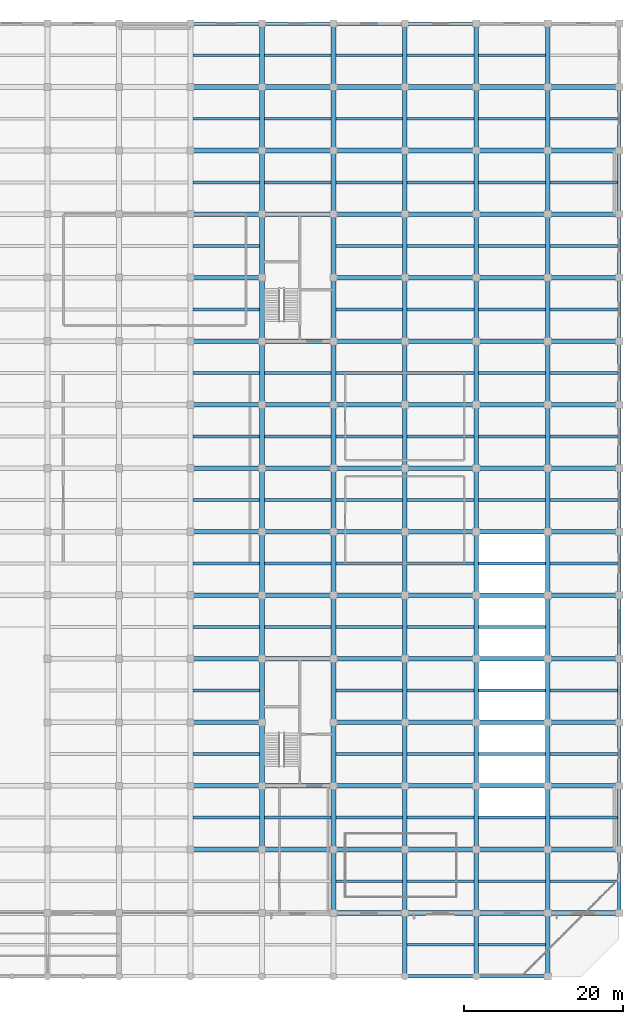
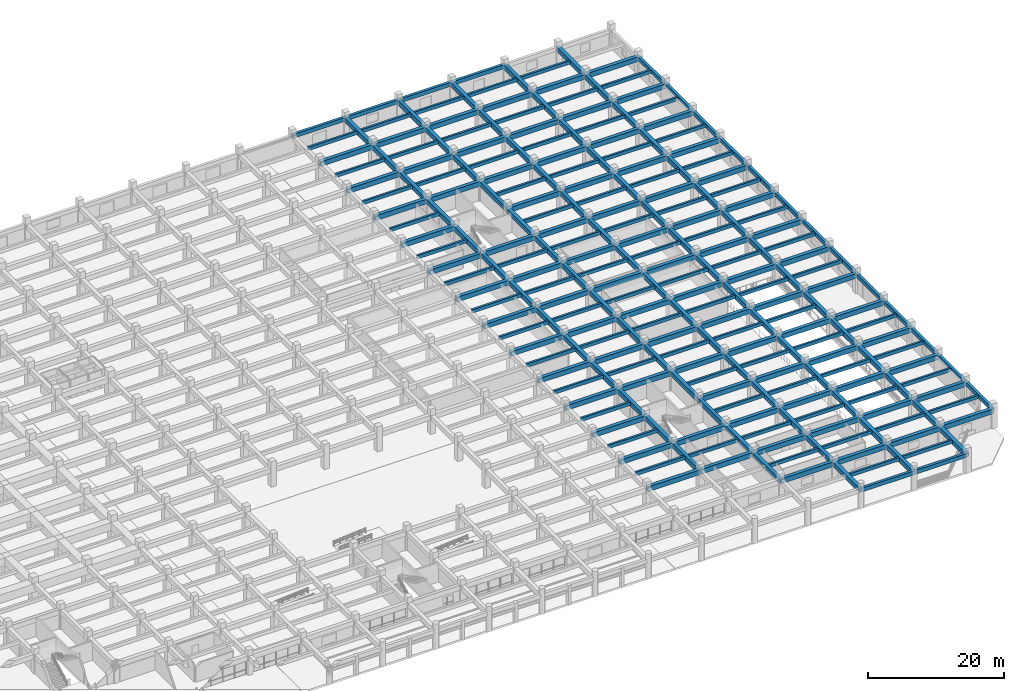
# One storey, part 15 of 40: 249 beams.
"""IFC4 building model written with IfcOpenShell, lengths in metres."""

from ifc_helpers import new_model, si_unit, direction, frame, origin, origin_2d, place, context, subcontext, project, spatial, rectangle, extrude, material, material_profile, profile_set, type_object, element, save


model = new_model("IFC4")

# Units and contexts
model_context = context("Model", 3, precision=1e-05, world=origin(), true_north=direction((0.0, 1.0)))
body_context = subcontext(model_context, "Body", "Model", "MODEL_VIEW")
ifc_project = project(units=[si_unit("LENGTHUNIT", "METRE"), si_unit("AREAUNIT", "SQUARE_METRE"), si_unit("VOLUMEUNIT", "CUBIC_METRE"), si_unit("PLANEANGLEUNIT", "RADIAN"), si_unit("MASSUNIT", "GRAM", prefix="KILO")], contexts=[model_context])

# Site, building, storey
site_placement = place(None, origin())
site = spatial("IfcSite", under=ifc_project, at=site_placement, CompositionType="ELEMENT")
building_placement = place(site_placement, origin())
building = spatial("IfcBuilding", under=site, at=building_placement, Name="Zaverband Oceanarium and Marine Research Institute", CompositionType="ELEMENT")
storey_placement = place(building_placement, origin())
storey = spatial("IfcBuildingStorey", under=building, at=storey_placement, Name="L00", CompositionType="ELEMENT", Elevation=0.0)

# Beams
ifc_material = material(Name="Concrete C40/50", Category="concrete")
ifc_material_profile_1 = material_profile(ifc_material, rectangle(XDim=0.60009765625, YDim=0.85009765625, at=origin_2d()), Name="RC600x850")
ifc_profile_set_1 = profile_set([ifc_material_profile_1], Name="Concrete C40/50")
beam_type_1 = type_object("IfcBeamType", Name="BM-600x850", PredefinedType="BEAM", material=ifc_profile_set_1)
for number, where, z_axis, x_axis, name in (
    (1, (144.0, 8.0, 3.02490234375), (1.0, 0.0, 0.0), (0.0, 1.0, 0.0), "Primary floor girder BM-600x850"),
    (2, (153.0, 8.0, 3.02490234375), (1.0, 0.0, 0.0), (0.0, 1.0, 0.0), "Primary floor girder BM-600x850"),
    (3, (162.0, 8.0, 3.02490234375), (1.0, 0.0, 0.0), (0.0, 1.0, 0.0), "Primary floor girder BM-600x850"),
    (4, (171.0, 8.0, 3.02490234375), (1.0, 0.0, 0.0), (0.0, 1.0, 0.0), "Primary floor girder BM-600x850"),
    (5, (126.0, 16.0, 3.02490234375), (1.0, 0.0, 0.0), (0.0, 1.0, 0.0), "Primary floor girder BM-600x850"),
    (6, (135.0, 16.0, 3.02490234375), (1.0, 0.0, 0.0), (0.0, 1.0, 0.0), "Primary floor girder BM-600x850"),
    (7, (144.0, 16.0, 3.02490234375), (1.0, 0.0, 0.0), (0.0, 1.0, 0.0), "Primary floor girder BM-600x850"),
    (8, (153.0, 16.0, 3.02490234375), (1.0, 0.0, 0.0), (0.0, 1.0, 0.0), "Primary floor girder BM-600x850"),
    (9, (162.0, 16.0, 3.02490234375), (1.0, 0.0, 0.0), (0.0, 1.0, 0.0), "Primary floor girder BM-600x850"),
    (10, (171.0, 16.0, 3.02490234375), (1.0, 0.0, 0.0), (0.0, 1.0, 0.0), "Primary floor girder BM-600x850"),
    (11, (126.0, 24.0, 3.02490234375), (1.0, 0.0, 0.0), (0.0, 1.0, 0.0), "Primary floor girder BM-600x850"),
    (12, (135.0, 24.0, 3.02490234375), (1.0, 0.0, 0.0), (0.0, 1.0, 0.0), "Primary floor girder BM-600x850"),
    (13, (144.0, 24.0, 3.02490234375), (1.0, 0.0, 0.0), (0.0, 1.0, 0.0), "Primary floor girder BM-600x850"),
    (14, (153.0, 24.0, 3.02490234375), (1.0, 0.0, 0.0), (0.0, 1.0, 0.0), "Primary floor girder BM-600x850"),
    (15, (162.0, 24.0, 3.02490234375), (1.0, 0.0, 0.0), (0.0, 1.0, 0.0), "Primary floor girder BM-600x850"),
    (16, (171.0, 24.0, 3.02490234375), (1.0, 0.0, 0.0), (0.0, 1.0, 0.0), "Primary floor girder BM-600x850"),
    (17, (126.0, 32.0, 3.02490234375), (1.0, 0.0, 0.0), (0.0, 1.0, 0.0), "Primary floor girder BM-600x850"),
    (18, (144.0, 32.0, 3.02490234375), (1.0, 0.0, 0.0), (0.0, 1.0, 0.0), "Primary floor girder BM-600x850"),
    (19, (153.0, 32.0, 3.02490234375), (1.0, 0.0, 0.0), (0.0, 1.0, 0.0), "Primary floor girder BM-600x850"),
    (20, (162.0, 32.0, 3.02490234375), (1.0, 0.0, 0.0), (0.0, 1.0, 0.0), "Primary floor girder BM-600x850"),
    (21, (171.0, 32.0, 3.02490234375), (1.0, 0.0, 0.0), (0.0, 1.0, 0.0), "Primary floor girder BM-600x850"),
    (22, (126.0, 40.0, 3.02490234375), (1.0, 0.0, 0.0), (0.0, 1.0, 0.0), "Primary floor girder BM-600x850"),
    (23, (135.0, 40.0, 3.02490234375), (1.0, 0.0, 0.0), (0.0, 1.0, 0.0), "Primary floor girder BM-600x850"),
    (24, (144.0, 40.0, 3.02490234375), (1.0, 0.0, 0.0), (0.0, 1.0, 0.0), "Primary floor girder BM-600x850"),
    (25, (153.0, 40.0, 3.02490234375), (1.0, 0.0, 0.0), (0.0, 1.0, 0.0), "Primary floor girder BM-600x850"),
    (26, (162.0, 40.0, 3.02490234375), (1.0, 0.0, 0.0), (0.0, 1.0, 0.0), "Primary floor girder BM-600x850"),
    (27, (171.0, 40.0, 3.02490234375), (1.0, 0.0, 0.0), (0.0, 1.0, 0.0), "Primary floor girder BM-600x850"),
    (28, (126.0, 48.0, 3.02490234375), (1.0, 0.0, 0.0), (0.0, 1.0, 0.0), "Primary floor girder BM-600x850"),
    (29, (135.0, 48.0, 3.02490234375), (1.0, 0.0, 0.0), (0.0, 1.0, 0.0), "Primary floor girder BM-600x850"),
    (30, (144.0, 48.0, 3.02490234375), (1.0, 0.0, 0.0), (0.0, 1.0, 0.0), "Primary floor girder BM-600x850"),
    (31, (153.0, 48.0, 3.02490234375), (1.0, 0.0, 0.0), (0.0, 1.0, 0.0), "Primary floor girder BM-600x850"),
    (32, (162.0, 48.0, 3.02490234375), (1.0, 0.0, 0.0), (0.0, 1.0, 0.0), "Primary floor girder BM-600x850"),
    (33, (171.0, 48.0, 3.02490234375), (1.0, 0.0, 0.0), (0.0, 1.0, 0.0), "Primary floor girder BM-600x850"),
    (34, (126.0, 56.0, 3.02490234375), (1.0, 0.0, 0.0), (0.0, 1.0, 0.0), "Primary floor girder BM-600x850"),
    (35, (135.0, 56.0, 3.02490234375), (1.0, 0.0, 0.0), (0.0, 1.0, 0.0), "Primary floor girder BM-600x850"),
    (36, (144.0, 56.0, 3.02490234375), (1.0, 0.0, 0.0), (0.0, 1.0, 0.0), "Primary floor girder BM-600x850"),
    (37, (153.0, 56.0, 3.02490234375), (1.0, 0.0, 0.0), (0.0, 1.0, 0.0), "Primary floor girder BM-600x850"),
    (38, (162.0, 56.0, 3.02490234375), (1.0, 0.0, 0.0), (0.0, 1.0, 0.0), "Primary floor girder BM-600x850"),
    (39, (171.0, 56.0, 3.02490234375), (1.0, 0.0, 0.0), (0.0, 1.0, 0.0), "Primary floor girder BM-600x850"),
    (40, (126.0, 64.0, 3.02490234375), (1.0, 0.0, 0.0), (0.0, 1.0, 0.0), "Primary floor girder BM-600x850"),
    (41, (135.0, 64.0, 3.02490234375), (1.0, 0.0, 0.0), (0.0, 1.0, 0.0), "Primary floor girder BM-600x850"),
    (42, (144.0, 64.0, 3.02490234375), (1.0, 0.0, 0.0), (0.0, 1.0, 0.0), "Primary floor girder BM-600x850"),
    (43, (153.0, 64.0, 3.02490234375), (1.0, 0.0, 0.0), (0.0, 1.0, 0.0), "Primary floor girder BM-600x850"),
    (44, (162.0, 64.0, 3.02490234375), (1.0, 0.0, 0.0), (0.0, 1.0, 0.0), "Primary floor girder BM-600x850"),
    (45, (171.0, 64.0, 3.02490234375), (1.0, 0.0, 0.0), (0.0, 1.0, 0.0), "Primary floor girder BM-600x850"),
    (46, (126.0, 72.0, 3.02490234375), (1.0, 0.0, 0.0), (0.0, 1.0, 0.0), "Primary floor girder BM-600x850"),
    (47, (135.0, 72.0, 3.02490234375), (1.0, 0.0, 0.0), (0.0, 1.0, 0.0), "Primary floor girder BM-600x850"),
    (48, (144.0, 72.0, 3.02490234375), (1.0, 0.0, 0.0), (0.0, 1.0, 0.0), "Primary floor girder BM-600x850"),
    (49, (153.0, 72.0, 3.02490234375), (1.0, 0.0, 0.0), (0.0, 1.0, 0.0), "Primary floor girder BM-600x850"),
    (50, (162.0, 72.0, 3.02490234375), (1.0, 0.0, 0.0), (0.0, 1.0, 0.0), "Primary floor girder BM-600x850"),
    (51, (171.0, 72.0, 3.02490234375), (1.0, 0.0, 0.0), (0.0, 1.0, 0.0), "Primary floor girder BM-600x850"),
    (52, (126.0, 80.0, 3.02490234375), (1.0, 0.0, 0.0), (0.0, 1.0, 0.0), "Primary floor girder BM-600x850"),
    (53, (135.0, 80.0, 3.02490234375), (1.0, 0.0, 0.0), (0.0, 1.0, 0.0), "Primary floor girder BM-600x850"),
    (54, (144.0, 80.0, 3.02490234375), (1.0, 0.0, 0.0), (0.0, 1.0, 0.0), "Primary floor girder BM-600x850"),
    (55, (153.0, 80.0, 3.02490234375), (1.0, 0.0, 0.0), (0.0, 1.0, 0.0), "Primary floor girder BM-600x850"),
    (56, (162.0, 80.0, 3.02490234375), (1.0, 0.0, 0.0), (0.0, 1.0, 0.0), "Primary floor girder BM-600x850"),
    (57, (171.0, 80.0, 3.02490234375), (1.0, 0.0, 0.0), (0.0, 1.0, 0.0), "Primary floor girder BM-600x850"),
    (58, (126.0, 88.0, 3.02490234375), (1.0, 0.0, 0.0), (0.0, 1.0, 0.0), "Primary floor girder BM-600x850"),
    (59, (144.0, 88.0, 3.02490234375), (1.0, 0.0, 0.0), (0.0, 1.0, 0.0), "Primary floor girder BM-600x850"),
    (60, (153.0, 88.0, 3.02490234375), (1.0, 0.0, 0.0), (0.0, 1.0, 0.0), "Primary floor girder BM-600x850"),
    (61, (162.0, 88.0, 3.02490234375), (1.0, 0.0, 0.0), (0.0, 1.0, 0.0), "Primary floor girder BM-600x850"),
    (62, (171.0, 88.0, 3.02490234375), (1.0, 0.0, 0.0), (0.0, 1.0, 0.0), "Primary floor girder BM-600x850"),
    (63, (126.0, 96.0, 3.02490234375), (1.0, 0.0, 0.0), (0.0, 1.0, 0.0), "Primary floor girder BM-600x850"),
    (64, (135.0, 96.0, 3.02490234375), (1.0, 0.0, 0.0), (0.0, 1.0, 0.0), "Primary floor girder BM-600x850"),
    (65, (144.0, 96.0, 3.02490234375), (1.0, 0.0, 0.0), (0.0, 1.0, 0.0), "Primary floor girder BM-600x850"),
    (66, (153.0, 96.0, 3.02490234375), (1.0, 0.0, 0.0), (0.0, 1.0, 0.0), "Primary floor girder BM-600x850"),
    (67, (162.0, 96.0, 3.02490234375), (1.0, 0.0, 0.0), (0.0, 1.0, 0.0), "Primary floor girder BM-600x850"),
    (68, (171.0, 96.0, 3.02490234375), (1.0, 0.0, 0.0), (0.0, 1.0, 0.0), "Primary floor girder BM-600x850"),
    (69, (126.0, 104.0, 3.02490234375), (1.0, 0.0, 0.0), (0.0, 1.0, 0.0), "Primary floor girder BM-600x850"),
    (70, (135.0, 104.0, 3.02490234375), (1.0, 0.0, 0.0), (0.0, 1.0, 0.0), "Primary floor girder BM-600x850"),
    (71, (144.0, 104.0, 3.02490234375), (1.0, 0.0, 0.0), (0.0, 1.0, 0.0), "Primary floor girder BM-600x850"),
    (72, (153.0, 104.0, 3.02490234375), (1.0, 0.0, 0.0), (0.0, 1.0, 0.0), "Primary floor girder BM-600x850"),
    (73, (162.0, 104.0, 3.02490234375), (1.0, 0.0, 0.0), (0.0, 1.0, 0.0), "Primary floor girder BM-600x850"),
    (74, (171.0, 104.0, 3.02490234375), (1.0, 0.0, 0.0), (0.0, 1.0, 0.0), "Primary floor girder BM-600x850"),
    (75, (126.0, 112.0, 3.02490234375), (1.0, 0.0, 0.0), (0.0, 1.0, 0.0), "Primary floor girder BM-600x850"),
    (76, (135.0, 112.0, 3.02490234375), (1.0, 0.0, 0.0), (0.0, 1.0, 0.0), "Primary floor girder BM-600x850"),
    (77, (144.0, 112.0, 3.02490234375), (1.0, 0.0, 0.0), (0.0, 1.0, 0.0), "Primary floor girder BM-600x850"),
    (78, (153.0, 112.0, 3.02490234375), (1.0, 0.0, 0.0), (0.0, 1.0, 0.0), "Primary floor girder BM-600x850"),
    (79, (162.0, 112.0, 3.02490234375), (1.0, 0.0, 0.0), (0.0, 1.0, 0.0), "Primary floor girder BM-600x850"),
    (80, (171.0, 112.0, 3.02490234375), (1.0, 0.0, 0.0), (0.0, 1.0, 0.0), "Primary floor girder BM-600x850"),
):
    element("IfcBeam", number, at=place(storey_placement, frame(where, z_axis=z_axis, x_axis=x_axis)), inside=storey, type_object=beam_type_1, Name=name, PredefinedType="BEAM", context=body_context, shape_type="SweptSolid", body=[
        extrude(rectangle(XDim=0.60009765625, YDim=0.85009765625, at=origin_2d()), origin(), (0.0, 0.0, 1.0), 9.0),
    ])
for number, where, z_axis, x_axis, name in (
    (81, (135.0, 16.0, 3.02490234375), (0.0, 1.0, 0.0), (-1.0, 0.0, 0.0), "Primary floor girder BM-600x850"),
    (82, (135.0, 24.0, 3.02490234375), (0.0, 1.0, 0.0), (-1.0, 0.0, 0.0), "Primary floor girder BM-600x850"),
    (83, (135.0, 32.0, 3.02490234375), (0.0, 1.0, 0.0), (-1.0, 0.0, 0.0), "Primary floor girder BM-600x850"),
    (84, (135.0, 40.0, 3.02490234375), (0.0, 1.0, 0.0), (-1.0, 0.0, 0.0), "Primary floor girder BM-600x850"),
    (85, (135.0, 48.0, 3.02490234375), (0.0, 1.0, 0.0), (-1.0, 0.0, 0.0), "Primary floor girder BM-600x850"),
    (86, (135.0, 56.0, 3.02490234375), (0.0, 1.0, 0.0), (-1.0, 0.0, 0.0), "Primary floor girder BM-600x850"),
    (87, (135.0, 64.0, 3.02490234375), (0.0, 1.0, 0.0), (-1.0, 0.0, 0.0), "Primary floor girder BM-600x850"),
    (88, (135.0, 72.0, 3.02490234375), (0.0, 1.0, 0.0), (-1.0, 0.0, 0.0), "Primary floor girder BM-600x850"),
    (89, (135.0, 80.0, 3.02490234375), (0.0, 1.0, 0.0), (-1.0, 0.0, 0.0), "Primary floor girder BM-600x850"),
    (90, (135.0, 88.0, 3.02490234375), (0.0, 1.0, 0.0), (-1.0, 0.0, 0.0), "Primary floor girder BM-600x850"),
    (91, (135.0, 96.0, 3.02490234375), (0.0, 1.0, 0.0), (-1.0, 0.0, 0.0), "Primary floor girder BM-600x850"),
    (92, (135.0, 104.0, 3.02490234375), (0.0, 1.0, 0.0), (-1.0, 0.0, 0.0), "Primary floor girder BM-600x850"),
    (93, (135.0, 112.0, 3.02490234375), (0.0, 1.0, 0.0), (-1.0, 0.0, 0.0), "Primary floor girder BM-600x850"),
    (94, (144.0, 8.0, 3.02490234375), (0.0, 1.0, 0.0), (-1.0, 0.0, 0.0), "Primary floor girder BM-600x850"),
    (95, (144.0, 16.0, 3.02490234375), (0.0, 1.0, 0.0), (-1.0, 0.0, 0.0), "Primary floor girder BM-600x850"),
    (96, (144.0, 24.0, 3.02490234375), (0.0, 1.0, 0.0), (-1.0, 0.0, 0.0), "Primary floor girder BM-600x850"),
    (97, (144.0, 32.0, 3.02490234375), (0.0, 1.0, 0.0), (-1.0, 0.0, 0.0), "Primary floor girder BM-600x850"),
    (98, (144.0, 40.0, 3.02490234375), (0.0, 1.0, 0.0), (-1.0, 0.0, 0.0), "Primary floor girder BM-600x850"),
    (99, (144.0, 48.0, 3.02490234375), (0.0, 1.0, 0.0), (-1.0, 0.0, 0.0), "Primary floor girder BM-600x850"),
    (100, (144.0, 56.0, 3.02490234375), (0.0, 1.0, 0.0), (-1.0, 0.0, 0.0), "Primary floor girder BM-600x850"),
    (101, (144.0, 64.0, 3.02490234375), (0.0, 1.0, 0.0), (-1.0, 0.0, 0.0), "Primary floor girder BM-600x850"),
    (102, (144.0, 72.0, 3.02490234375), (0.0, 1.0, 0.0), (-1.0, 0.0, 0.0), "Primary floor girder BM-600x850"),
    (103, (144.0, 80.0, 3.02490234375), (0.0, 1.0, 0.0), (-1.0, 0.0, 0.0), "Primary floor girder BM-600x850"),
    (104, (144.0, 88.0, 3.02490234375), (0.0, 1.0, 0.0), (-1.0, 0.0, 0.0), "Primary floor girder BM-600x850"),
    (105, (144.0, 96.0, 3.02490234375), (0.0, 1.0, 0.0), (-1.0, 0.0, 0.0), "Primary floor girder BM-600x850"),
    (106, (144.0, 104.0, 3.02490234375), (0.0, 1.0, 0.0), (-1.0, 0.0, 0.0), "Primary floor girder BM-600x850"),
    (107, (144.0, 112.0, 3.02490234375), (0.0, 1.0, 0.0), (-1.0, 0.0, 0.0), "Primary floor girder BM-600x850"),
    (108, (153.0, 0.0, 3.02490234375), (0.0, 1.0, 0.0), (-1.0, 0.0, 0.0), "Primary floor girder BM-600x850"),
    (109, (153.0, 8.0, 3.02490234375), (0.0, 1.0, 0.0), (-1.0, 0.0, 0.0), "Primary floor girder BM-600x850"),
    (110, (153.0, 16.0, 3.02490234375), (0.0, 1.0, 0.0), (-1.0, 0.0, 0.0), "Primary floor girder BM-600x850"),
    (111, (153.0, 24.0, 3.02490234375), (0.0, 1.0, 0.0), (-1.0, 0.0, 0.0), "Primary floor girder BM-600x850"),
    (112, (153.0, 32.0, 3.02490234375), (0.0, 1.0, 0.0), (-1.0, 0.0, 0.0), "Primary floor girder BM-600x850"),
    (113, (153.0, 40.0, 3.02490234375), (0.0, 1.0, 0.0), (-1.0, 0.0, 0.0), "Primary floor girder BM-600x850"),
    (114, (153.0, 48.0, 3.02490234375), (0.0, 1.0, 0.0), (-1.0, 0.0, 0.0), "Primary floor girder BM-600x850"),
    (115, (153.0, 56.0, 3.02490234375), (0.0, 1.0, 0.0), (-1.0, 0.0, 0.0), "Primary floor girder BM-600x850"),
    (116, (153.0, 64.0, 3.02490234375), (0.0, 1.0, 0.0), (-1.0, 0.0, 0.0), "Primary floor girder BM-600x850"),
    (117, (153.0, 72.0, 3.02490234375), (0.0, 1.0, 0.0), (-1.0, 0.0, 0.0), "Primary floor girder BM-600x850"),
    (118, (153.0, 80.0, 3.02490234375), (0.0, 1.0, 0.0), (-1.0, 0.0, 0.0), "Primary floor girder BM-600x850"),
    (119, (153.0, 88.0, 3.02490234375), (0.0, 1.0, 0.0), (-1.0, 0.0, 0.0), "Primary floor girder BM-600x850"),
    (120, (153.0, 96.0, 3.02490234375), (0.0, 1.0, 0.0), (-1.0, 0.0, 0.0), "Primary floor girder BM-600x850"),
    (121, (153.0, 104.0, 3.02490234375), (0.0, 1.0, 0.0), (-1.0, 0.0, 0.0), "Primary floor girder BM-600x850"),
    (122, (153.0, 112.0, 3.02490234375), (0.0, 1.0, 0.0), (-1.0, 0.0, 0.0), "Primary floor girder BM-600x850"),
    (123, (162.0, 0.0, 3.02490234375), (0.0, 1.0, 0.0), (-1.0, 0.0, 0.0), "Primary floor girder BM-600x850"),
    (124, (162.0, 8.0, 3.02490234375), (0.0, 1.0, 0.0), (-1.0, 0.0, 0.0), "Primary floor girder BM-600x850"),
    (125, (162.0, 16.0, 3.02490234375), (0.0, 1.0, 0.0), (-1.0, 0.0, 0.0), "Primary floor girder BM-600x850"),
    (126, (162.0, 24.0, 3.02490234375), (0.0, 1.0, 0.0), (-1.0, 0.0, 0.0), "Primary floor girder BM-600x850"),
    (127, (162.0, 32.0, 3.02490234375), (0.0, 1.0, 0.0), (-1.0, 0.0, 0.0), "Primary floor girder BM-600x850"),
    (128, (162.0, 40.0, 3.02490234375), (0.0, 1.0, 0.0), (-1.0, 0.0, 0.0), "Primary floor girder BM-600x850"),
    (129, (162.0, 48.0, 3.02490234375), (0.0, 1.0, 0.0), (-1.0, 0.0, 0.0), "Primary floor girder BM-600x850"),
    (130, (162.0, 56.0, 3.02490234375), (0.0, 1.0, 0.0), (-1.0, 0.0, 0.0), "Primary floor girder BM-600x850"),
    (131, (162.0, 64.0, 3.02490234375), (0.0, 1.0, 0.0), (-1.0, 0.0, 0.0), "Primary floor girder BM-600x850"),
    (132, (162.0, 72.0, 3.02490234375), (0.0, 1.0, 0.0), (-1.0, 0.0, 0.0), "Primary floor girder BM-600x850"),
    (133, (162.0, 80.0, 3.02490234375), (0.0, 1.0, 0.0), (-1.0, 0.0, 0.0), "Primary floor girder BM-600x850"),
    (134, (162.0, 88.0, 3.02490234375), (0.0, 1.0, 0.0), (-1.0, 0.0, 0.0), "Primary floor girder BM-600x850"),
    (135, (162.0, 96.0, 3.02490234375), (0.0, 1.0, 0.0), (-1.0, 0.0, 0.0), "Primary floor girder BM-600x850"),
    (136, (162.0, 104.0, 3.02490234375), (0.0, 1.0, 0.0), (-1.0, 0.0, 0.0), "Primary floor girder BM-600x850"),
    (137, (162.0, 112.0, 3.02490234375), (0.0, 1.0, 0.0), (-1.0, 0.0, 0.0), "Primary floor girder BM-600x850"),
    (138, (171.0, 0.0, 3.02490234375), (0.0, 1.0, 0.0), (-1.0, 0.0, 0.0), "Primary floor girder BM-600x850"),
    (139, (171.0, 8.0, 3.02490234375), (0.0, 1.0, 0.0), (-1.0, 0.0, 0.0), "Primary floor girder BM-600x850"),
    (140, (171.0, 16.0, 3.02490234375), (0.0, 1.0, 0.0), (-1.0, 0.0, 0.0), "Primary floor girder BM-600x850"),
    (141, (171.0, 24.0, 3.02490234375), (0.0, 1.0, 0.0), (-1.0, 0.0, 0.0), "Primary floor girder BM-600x850"),
    (142, (171.0, 32.0, 3.02490234375), (0.0, 1.0, 0.0), (-1.0, 0.0, 0.0), "Primary floor girder BM-600x850"),
    (143, (171.0, 40.0, 3.02490234375), (0.0, 1.0, 0.0), (-1.0, 0.0, 0.0), "Primary floor girder BM-600x850"),
    (144, (171.0, 48.0, 3.02490234375), (0.0, 1.0, 0.0), (-1.0, 0.0, 0.0), "Primary floor girder BM-600x850"),
    (145, (171.0, 56.0, 3.02490234375), (0.0, 1.0, 0.0), (-1.0, 0.0, 0.0), "Primary floor girder BM-600x850"),
    (146, (171.0, 64.0, 3.02490234375), (0.0, 1.0, 0.0), (-1.0, 0.0, 0.0), "Primary floor girder BM-600x850"),
    (147, (171.0, 72.0, 3.02490234375), (0.0, 1.0, 0.0), (-1.0, 0.0, 0.0), "Primary floor girder BM-600x850"),
    (148, (171.0, 80.0, 3.02490234375), (0.0, 1.0, 0.0), (-1.0, 0.0, 0.0), "Primary floor girder BM-600x850"),
    (149, (171.0, 88.0, 3.02490234375), (0.0, 1.0, 0.0), (-1.0, 0.0, 0.0), "Primary floor girder BM-600x850"),
    (150, (171.0, 96.0, 3.02490234375), (0.0, 1.0, 0.0), (-1.0, 0.0, 0.0), "Primary floor girder BM-600x850"),
    (151, (171.0, 104.0, 3.02490234375), (0.0, 1.0, 0.0), (-1.0, 0.0, 0.0), "Primary floor girder BM-600x850"),
    (152, (171.0, 112.0, 3.02490234375), (0.0, 1.0, 0.0), (-1.0, 0.0, 0.0), "Primary floor girder BM-600x850"),
):
    element("IfcBeam", number, at=place(storey_placement, frame(where, z_axis=z_axis, x_axis=x_axis)), inside=storey, type_object=beam_type_1, Name=name, PredefinedType="BEAM", context=body_context, shape_type="SweptSolid", body=[
        extrude(rectangle(XDim=0.60009765625, YDim=0.85009765625, at=origin_2d()), origin(), (0.0, 0.0, 1.0), 8.0),
    ])
ifc_material_profile_2 = material_profile(ifc_material, rectangle(XDim=0.35009765625, YDim=0.60009765625, at=origin_2d()), Name="RC350x600")
ifc_profile_set_2 = profile_set([ifc_material_profile_2], Name="Concrete C40/50")
beam_type_2 = type_object("IfcBeamType", Name="JST-350x600", PredefinedType="JOIST", material=ifc_profile_set_2)
for number, where, z_axis, x_axis, name in (
    (153, (126.300048828125, 20.0, 3.14990234375), (1.0, 0.0, 0.0), (0.0, 1.0, 0.0), "Secondary floor joist JST-350x600"),
    (154, (126.300048828125, 28.0, 3.14990234375), (1.0, 0.0, 0.0), (0.0, 1.0, 0.0), "Secondary floor joist JST-350x600"),
    (155, (126.300048828125, 36.0, 3.14990234375), (1.0, 0.0, 0.0), (0.0, 1.0, 0.0), "Secondary floor joist JST-350x600"),
    (156, (126.300048828125, 44.0, 3.14990234375), (1.0, 0.0, 0.0), (0.0, 1.0, 0.0), "Secondary floor joist JST-350x600"),
    (157, (126.300048828125, 52.0, 3.14990234375), (1.0, 0.0, 0.0), (0.0, 1.0, 0.0), "Secondary floor joist JST-350x600"),
    (158, (126.300048828125, 60.0, 3.14990234375), (1.0, 0.0, 0.0), (0.0, 1.0, 0.0), "Secondary floor joist JST-350x600"),
    (159, (126.300048828125, 68.0, 3.14990234375), (1.0, 0.0, 0.0), (0.0, 1.0, 0.0), "Secondary floor joist JST-350x600"),
    (160, (126.300048828125, 76.0, 3.14990234375), (1.0, 0.0, 0.0), (0.0, 1.0, 0.0), "Secondary floor joist JST-350x600"),
    (161, (126.300048828125, 84.0, 3.14990234375), (1.0, 0.0, 0.0), (0.0, 1.0, 0.0), "Secondary floor joist JST-350x600"),
    (162, (126.300048828125, 92.0, 3.14990234375), (1.0, 0.0, 0.0), (0.0, 1.0, 0.0), "Secondary floor joist JST-350x600"),
    (163, (126.300048828125, 100.0, 3.14990234375), (1.0, 0.0, 0.0), (0.0, 1.0, 0.0), "Secondary floor joist JST-350x600"),
    (164, (126.300048828125, 108.0, 3.14990234375), (1.0, 0.0, 0.0), (0.0, 1.0, 0.0), "Secondary floor joist JST-350x600"),
    (165, (126.300048828125, 116.0, 3.14990234375), (1.0, 0.0, 0.0), (0.0, 1.0, 0.0), "Secondary floor joist JST-350x600"),
    (166, (135.300048828125, 20.0, 3.14990234375), (1.0, 0.0, 0.0), (0.0, 1.0, 0.0), "Secondary floor joist JST-350x600"),
    (167, (135.300048828125, 44.0, 3.14990234375), (1.0, 0.0, 0.0), (0.0, 1.0, 0.0), "Secondary floor joist JST-350x600"),
    (168, (135.300048828125, 52.0, 3.14990234375), (1.0, 0.0, 0.0), (0.0, 1.0, 0.0), "Secondary floor joist JST-350x600"),
    (169, (135.300048828125, 60.0, 3.14990234375), (1.0, 0.0, 0.0), (0.0, 1.0, 0.0), "Secondary floor joist JST-350x600"),
    (170, (135.300048828125, 68.0, 3.14990234375), (1.0, 0.0, 0.0), (0.0, 1.0, 0.0), "Secondary floor joist JST-350x600"),
    (171, (135.300048828125, 76.0, 3.14990234375), (1.0, 0.0, 0.0), (0.0, 1.0, 0.0), "Secondary floor joist JST-350x600"),
    (172, (135.300048828125, 100.0, 3.14990234375), (1.0, 0.0, 0.0), (0.0, 1.0, 0.0), "Secondary floor joist JST-350x600"),
    (173, (135.300048828125, 108.0, 3.14990234375), (1.0, 0.0, 0.0), (0.0, 1.0, 0.0), "Secondary floor joist JST-350x600"),
    (174, (135.300048828125, 116.0, 3.14990234375), (1.0, 0.0, 0.0), (0.0, 1.0, 0.0), "Secondary floor joist JST-350x600"),
    (175, (144.300048828125, 12.0, 3.14990234375), (1.0, 0.0, 0.0), (0.0, 1.0, 0.0), "Secondary floor joist JST-350x600"),
    (176, (144.300048828125, 20.0, 3.14990234375), (1.0, 0.0, 0.0), (0.0, 1.0, 0.0), "Secondary floor joist JST-350x600"),
    (177, (144.300048828125, 28.0, 3.14990234375), (1.0, 0.0, 0.0), (0.0, 1.0, 0.0), "Secondary floor joist JST-350x600"),
    (178, (144.300048828125, 36.0, 3.14990234375), (1.0, 0.0, 0.0), (0.0, 1.0, 0.0), "Secondary floor joist JST-350x600"),
    (179, (144.300048828125, 44.0, 3.14990234375), (1.0, 0.0, 0.0), (0.0, 1.0, 0.0), "Secondary floor joist JST-350x600"),
    (180, (144.300048828125, 52.0, 3.14990234375), (1.0, 0.0, 0.0), (0.0, 1.0, 0.0), "Secondary floor joist JST-350x600"),
    (181, (144.300048828125, 60.0, 3.14990234375), (1.0, 0.0, 0.0), (0.0, 1.0, 0.0), "Secondary floor joist JST-350x600"),
    (182, (144.300048828125, 68.0, 3.14990234375), (1.0, 0.0, 0.0), (0.0, 1.0, 0.0), "Secondary floor joist JST-350x600"),
    (183, (144.300048828125, 76.0, 3.14990234375), (1.0, 0.0, 0.0), (0.0, 1.0, 0.0), "Secondary floor joist JST-350x600"),
    (184, (144.300048828125, 84.0, 3.14990234375), (1.0, 0.0, 0.0), (0.0, 1.0, 0.0), "Secondary floor joist JST-350x600"),
    (185, (144.300048828125, 92.0, 3.14990234375), (1.0, 0.0, 0.0), (0.0, 1.0, 0.0), "Secondary floor joist JST-350x600"),
    (186, (144.300048828125, 100.0, 3.14990234375), (1.0, 0.0, 0.0), (0.0, 1.0, 0.0), "Secondary floor joist JST-350x600"),
    (187, (144.300048828125, 108.0, 3.14990234375), (1.0, 0.0, 0.0), (0.0, 1.0, 0.0), "Secondary floor joist JST-350x600"),
    (188, (144.300048828125, 116.0, 3.14990234375), (1.0, 0.0, 0.0), (0.0, 1.0, 0.0), "Secondary floor joist JST-350x600"),
    (189, (153.300048828125, 4.0, 3.14990234375), (1.0, 0.0, 0.0), (0.0, 1.0, 0.0), "Secondary floor joist JST-350x600"),
    (190, (153.300048828125, 12.0, 3.14990234375), (1.0, 0.0, 0.0), (0.0, 1.0, 0.0), "Secondary floor joist JST-350x600"),
    (191, (153.300048828125, 20.0, 3.14990234375), (1.0, 0.0, 0.0), (0.0, 1.0, 0.0), "Secondary floor joist JST-350x600"),
    (192, (153.300048828125, 28.0, 3.14990234375), (1.0, 0.0, 0.0), (0.0, 1.0, 0.0), "Secondary floor joist JST-350x600"),
    (193, (153.300048828125, 36.0, 3.14990234375), (1.0, 0.0, 0.0), (0.0, 1.0, 0.0), "Secondary floor joist JST-350x600"),
    (194, (153.300048828125, 44.0, 3.14990234375), (1.0, 0.0, 0.0), (0.0, 1.0, 0.0), "Secondary floor joist JST-350x600"),
    (195, (153.300048828125, 52.0, 3.14990234375), (1.0, 0.0, 0.0), (0.0, 1.0, 0.0), "Secondary floor joist JST-350x600"),
    (196, (153.300048828125, 60.0, 3.14990234375), (1.0, 0.0, 0.0), (0.0, 1.0, 0.0), "Secondary floor joist JST-350x600"),
    (197, (153.300048828125, 68.0, 3.14990234375), (1.0, 0.0, 0.0), (0.0, 1.0, 0.0), "Secondary floor joist JST-350x600"),
    (198, (153.300048828125, 76.0, 3.14990234375), (1.0, 0.0, 0.0), (0.0, 1.0, 0.0), "Secondary floor joist JST-350x600"),
    (199, (153.300048828125, 84.0, 3.14990234375), (1.0, 0.0, 0.0), (0.0, 1.0, 0.0), "Secondary floor joist JST-350x600"),
    (200, (153.300048828125, 92.0, 3.14990234375), (1.0, 0.0, 0.0), (0.0, 1.0, 0.0), "Secondary floor joist JST-350x600"),
    (201, (153.300048828125, 100.0, 3.14990234375), (1.0, 0.0, 0.0), (0.0, 1.0, 0.0), "Secondary floor joist JST-350x600"),
    (202, (153.300048828125, 108.0, 3.14990234375), (1.0, 0.0, 0.0), (0.0, 1.0, 0.0), "Secondary floor joist JST-350x600"),
    (203, (153.300048828125, 116.0, 3.14990234375), (1.0, 0.0, 0.0), (0.0, 1.0, 0.0), "Secondary floor joist JST-350x600"),
    (204, (162.300048828125, 4.0, 3.14990234375), (1.0, 0.0, 0.0), (0.0, 1.0, 0.0), "Secondary floor joist JST-350x600"),
    (205, (162.300048828125, 12.0, 3.14990234375), (1.0, 0.0, 0.0), (0.0, 1.0, 0.0), "Secondary floor joist JST-350x600"),
    (206, (162.300048828125, 20.0, 3.14990234375), (1.0, 0.0, 0.0), (0.0, 1.0, 0.0), "Secondary floor joist JST-350x600"),
    (207, (162.300048828125, 28.0, 3.14990234375), (1.0, 0.0, 0.0), (0.0, 1.0, 0.0), "Secondary floor joist JST-350x600"),
    (208, (162.300048828125, 36.0, 3.14990234375), (1.0, 0.0, 0.0), (0.0, 1.0, 0.0), "Secondary floor joist JST-350x600"),
    (209, (162.300048828125, 44.0, 3.14990234375), (1.0, 0.0, 0.0), (0.0, 1.0, 0.0), "Secondary floor joist JST-350x600"),
    (210, (162.300048828125, 52.0, 3.14990234375), (1.0, 0.0, 0.0), (0.0, 1.0, 0.0), "Secondary floor joist JST-350x600"),
    (211, (162.300048828125, 60.0, 3.14990234375), (1.0, 0.0, 0.0), (0.0, 1.0, 0.0), "Secondary floor joist JST-350x600"),
    (212, (162.300048828125, 68.0, 3.14990234375), (1.0, 0.0, 0.0), (0.0, 1.0, 0.0), "Secondary floor joist JST-350x600"),
    (213, (162.300048828125, 76.0, 3.14990234375), (1.0, 0.0, 0.0), (0.0, 1.0, 0.0), "Secondary floor joist JST-350x600"),
    (214, (162.300048828125, 84.0, 3.14990234375), (1.0, 0.0, 0.0), (0.0, 1.0, 0.0), "Secondary floor joist JST-350x600"),
    (215, (162.300048828125, 92.0, 3.14990234375), (1.0, 0.0, 0.0), (0.0, 1.0, 0.0), "Secondary floor joist JST-350x600"),
    (216, (162.300048828125, 100.0, 3.14990234375), (1.0, 0.0, 0.0), (0.0, 1.0, 0.0), "Secondary floor joist JST-350x600"),
    (217, (162.300048828125, 108.0, 3.14990234375), (1.0, 0.0, 0.0), (0.0, 1.0, 0.0), "Secondary floor joist JST-350x600"),
    (218, (162.300048828125, 116.0, 3.14990234375), (1.0, 0.0, 0.0), (0.0, 1.0, 0.0), "Secondary floor joist JST-350x600"),
):
    element("IfcBeam", number, at=place(storey_placement, frame(where, z_axis=z_axis, x_axis=x_axis)), inside=storey, type_object=beam_type_2, Name=name, PredefinedType="JOIST", context=body_context, shape_type="SweptSolid", body=[
        extrude(rectangle(XDim=0.35009765625, YDim=0.60009765625, at=origin_2d()), origin(), (0.0, 0.0, 1.0), 8.39990234375),
    ])
for number, where, z_axis, x_axis, name in (
    (219, (171.300048828125, 12.0, 3.14990234375), (1.0, 0.0, 0.0), (0.0, 1.0, 0.0), "Secondary floor joist JST-350x600"),
    (220, (171.300048828125, 20.0, 3.14990234375), (1.0, 0.0, 0.0), (0.0, 1.0, 0.0), "Secondary floor joist JST-350x600"),
    (221, (171.300048828125, 28.0, 3.14990234375), (1.0, 0.0, 0.0), (0.0, 1.0, 0.0), "Secondary floor joist JST-350x600"),
    (222, (171.300048828125, 36.0, 3.14990234375), (1.0, 0.0, 0.0), (0.0, 1.0, 0.0), "Secondary floor joist JST-350x600"),
    (223, (171.300048828125, 52.0, 3.14990234375), (1.0, 0.0, 0.0), (0.0, 1.0, 0.0), "Secondary floor joist JST-350x600"),
    (224, (171.300048828125, 60.0, 3.14990234375), (1.0, 0.0, 0.0), (0.0, 1.0, 0.0), "Secondary floor joist JST-350x600"),
    (225, (171.300048828125, 68.0, 3.14990234375), (1.0, 0.0, 0.0), (0.0, 1.0, 0.0), "Secondary floor joist JST-350x600"),
    (226, (171.300048828125, 76.0, 3.14990234375), (1.0, 0.0, 0.0), (0.0, 1.0, 0.0), "Secondary floor joist JST-350x600"),
    (227, (171.300048828125, 84.0, 3.14990234375), (1.0, 0.0, 0.0), (0.0, 1.0, 0.0), "Secondary floor joist JST-350x600"),
    (228, (171.300048828125, 92.0, 3.14990234375), (1.0, 0.0, 0.0), (0.0, 1.0, 0.0), "Secondary floor joist JST-350x600"),
    (229, (171.300048828125, 100.0, 3.14990234375), (1.0, 0.0, 0.0), (0.0, 1.0, 0.0), "Secondary floor joist JST-350x600"),
    (230, (171.300048828125, 108.0, 3.14990234375), (1.0, 0.0, 0.0), (0.0, 1.0, 0.0), "Secondary floor joist JST-350x600"),
):
    element("IfcBeam", number, at=place(storey_placement, frame(where, z_axis=z_axis, x_axis=x_axis)), inside=storey, type_object=beam_type_2, Name=name, PredefinedType="JOIST", context=body_context, shape_type="SweptSolid", body=[
        extrude(rectangle(XDim=0.35009765625, YDim=0.60009765625, at=origin_2d()), origin(), (0.0, 0.0, 1.0), 8.474853515625),
    ])
ifc_material_profile_3 = material_profile(ifc_material, rectangle(XDim=0.449951171875, YDim=0.699951171875, at=origin_2d()), Name="RC450x700")
ifc_profile_set_3 = profile_set([ifc_material_profile_3], Name="Concrete C40/50")
beam_type_3 = type_object("IfcBeamType", Name="SPN-450x700", PredefinedType="SPANDREL", material=ifc_profile_set_3)
for number, where, z_axis, x_axis, name in (
    (231, (153.0, 0.0, 3.10009765625), (1.0, 0.0, 0.0), (0.0, 1.0, 0.0), "Perimeter spandrel beam SPN-450x700"),
    (232, (162.0, 0.0, 3.10009765625), (1.0, 0.0, 0.0), (0.0, 1.0, 0.0), "Perimeter spandrel beam SPN-450x700"),
    (233, (126.0, 120.0, 3.10009765625), (1.0, 0.0, 0.0), (0.0, 1.0, 0.0), "Perimeter spandrel beam SPN-450x700"),
    (234, (135.0, 120.0, 3.10009765625), (1.0, 0.0, 0.0), (0.0, 1.0, 0.0), "Perimeter spandrel beam SPN-450x700"),
    (235, (144.0, 120.0, 3.10009765625), (1.0, 0.0, 0.0), (0.0, 1.0, 0.0), "Perimeter spandrel beam SPN-450x700"),
    (236, (153.0, 120.0, 3.10009765625), (1.0, 0.0, 0.0), (0.0, 1.0, 0.0), "Perimeter spandrel beam SPN-450x700"),
):
    element("IfcBeam", number, at=place(storey_placement, frame(where, z_axis=z_axis, x_axis=x_axis)), inside=storey, type_object=beam_type_3, Name=name, PredefinedType="SPANDREL", context=body_context, shape_type="SweptSolid", body=[
        extrude(rectangle(XDim=0.449951171875, YDim=0.699951171875, at=origin_2d()), origin(), (0.0, 0.0, 1.0), 9.0),
    ])
for number, where, z_axis, x_axis, name in (
    (237, (180.0, 8.0, 3.10009765625), (0.0, 1.0, 0.0), (-1.0, 0.0, 0.0), "Perimeter spandrel beam SPN-450x700"),
    (238, (180.0, 16.0, 3.10009765625), (0.0, 1.0, 0.0), (-1.0, 0.0, 0.0), "Perimeter spandrel beam SPN-450x700"),
    (239, (180.0, 24.0, 3.10009765625), (0.0, 1.0, 0.0), (-1.0, 0.0, 0.0), "Perimeter spandrel beam SPN-450x700"),
    (240, (180.0, 32.0, 3.10009765625), (0.0, 1.0, 0.0), (-1.0, 0.0, 0.0), "Perimeter spandrel beam SPN-450x700"),
    (241, (180.0, 40.0, 3.10009765625), (0.0, 1.0, 0.0), (-1.0, 0.0, 0.0), "Perimeter spandrel beam SPN-450x700"),
    (242, (180.0, 48.0, 3.10009765625), (0.0, 1.0, 0.0), (-1.0, 0.0, 0.0), "Perimeter spandrel beam SPN-450x700"),
    (243, (180.0, 56.0, 3.10009765625), (0.0, 1.0, 0.0), (-1.0, 0.0, 0.0), "Perimeter spandrel beam SPN-450x700"),
    (244, (180.0, 64.0, 3.10009765625), (0.0, 1.0, 0.0), (-1.0, 0.0, 0.0), "Perimeter spandrel beam SPN-450x700"),
    (245, (180.0, 72.0, 3.10009765625), (0.0, 1.0, 0.0), (-1.0, 0.0, 0.0), "Perimeter spandrel beam SPN-450x700"),
    (246, (180.0, 80.0, 3.10009765625), (0.0, 1.0, 0.0), (-1.0, 0.0, 0.0), "Perimeter spandrel beam SPN-450x700"),
    (247, (180.0, 88.0, 3.10009765625), (0.0, 1.0, 0.0), (-1.0, 0.0, 0.0), "Perimeter spandrel beam SPN-450x700"),
    (248, (180.0, 96.0, 3.10009765625), (0.0, 1.0, 0.0), (-1.0, 0.0, 0.0), "Perimeter spandrel beam SPN-450x700"),
    (249, (180.0, 104.0, 3.10009765625), (0.0, 1.0, 0.0), (-1.0, 0.0, 0.0), "Perimeter spandrel beam SPN-450x700"),
):
    element("IfcBeam", number, at=place(storey_placement, frame(where, z_axis=z_axis, x_axis=x_axis)), inside=storey, type_object=beam_type_3, Name=name, PredefinedType="SPANDREL", context=body_context, shape_type="SweptSolid", body=[
        extrude(rectangle(XDim=0.449951171875, YDim=0.699951171875, at=origin_2d()), origin(), (0.0, 0.0, 1.0), 8.0),
    ])

save(model, "model.ifc")
